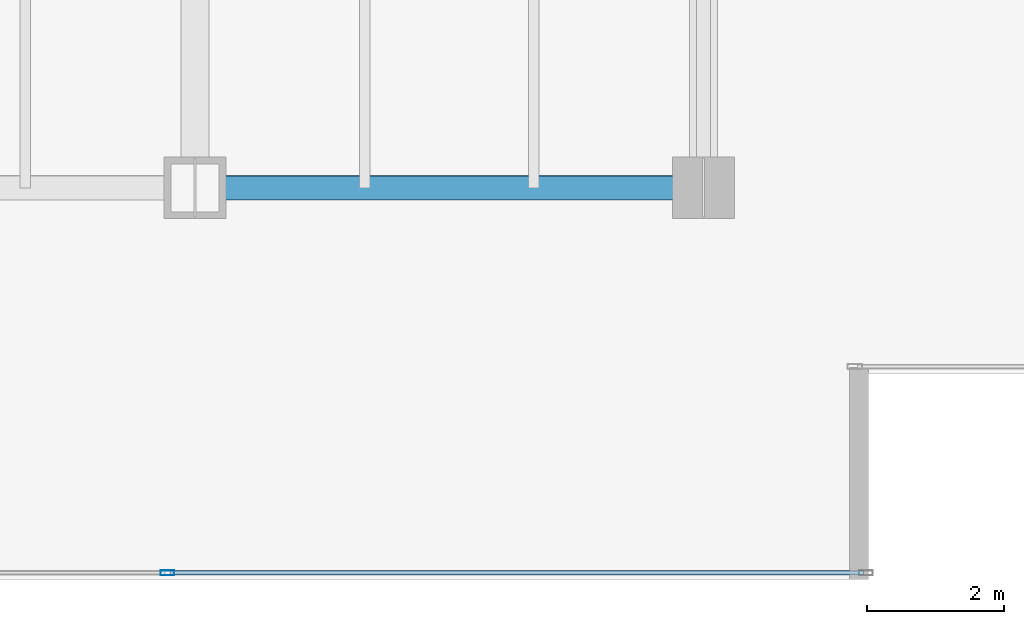
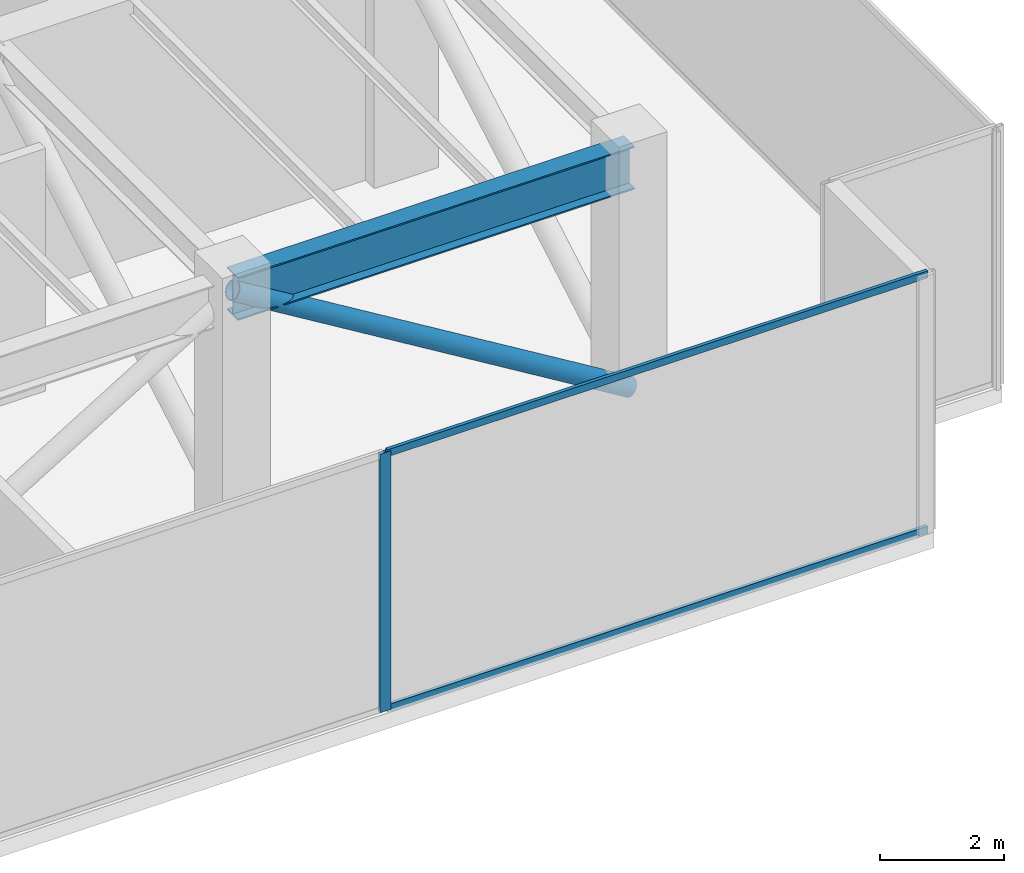
# One storey, part 12 of 34: 4 members, 1 beam, 1 element without a shape of its own.
"""IFC4 building model written with IfcOpenShell, lengths in metres."""

from ifc_helpers import new_model, si_unit, direction, frame, origin, origin_2d, place, context, subcontext, project, spatial, hollow_rectangle, hollow_circle, i_section, extrude, source, transform, mapped, material, layer, layer_set, material_profile, profile_set, type_object, type_shapes, element, aggregate, save


model = new_model("IFC4")

# Units and contexts
model_context = context("Model", 3, precision=1e-05, world=origin(), true_north=direction((0.0, 1.0)))
body_context = subcontext(model_context, "Body", "Model", "MODEL_VIEW")
ifc_project = project(units=[si_unit("LENGTHUNIT", "METRE"), si_unit("AREAUNIT", "SQUARE_METRE"), si_unit("VOLUMEUNIT", "CUBIC_METRE"), si_unit("PLANEANGLEUNIT", "RADIAN"), si_unit("MASSUNIT", "GRAM", prefix="KILO")], contexts=[model_context])

# Site, building, storey
site_placement = place(None, origin())
site = spatial("IfcSite", under=ifc_project, at=site_placement, CompositionType="ELEMENT")
building_placement = place(site_placement, origin())
building = spatial("IfcBuilding", under=site, at=building_placement, Name="Haelvirn Gate Laboratories", CompositionType="ELEMENT")
storey_placement = place(building_placement, frame((0.0, 0.0, 191.199951171875)))
storey = spatial("IfcBuildingStorey", under=building, at=storey_placement, Name="L46", CompositionType="ELEMENT", Elevation=191.199951171875)

# Beam
ifc_material_1 = material(Name="Steel SM420", Category="steel")
ifc_material_profile_1 = material_profile(ifc_material_1, i_section(OverallWidth=0.35009765625, OverallDepth=0.85009765625, WebThickness=0.01611328125, FlangeThickness=0.028076171875, at=origin_2d()), Name="H-850x350x16x28")
ifc_profile_set_1 = profile_set([ifc_material_profile_1], Name="Steel SM420")
beam_type = type_object("IfcBeamType", Name="BM-AG-850", PredefinedType="BEAM", material=ifc_profile_set_1)
shared_shape_1 = source(origin(), body_context, "Body", "SweptSolid", [
    extrude(i_section(OverallWidth=0.35009765625, OverallDepth=0.85009765625, WebThickness=0.01611328125, FlangeThickness=0.028076171875, at=origin_2d()), origin(), (0.0, 0.0, 1.0), 7.39990234375),
])
type_shapes(beam_type, [shared_shape_1])
beam_placement = place(storey_placement, frame((60.0, 7.0, 4.675048828125), z_axis=(1.0, 0.0, 0.0), x_axis=(0.0, 1.0, 0.0)))
element("IfcBeam", 1, at=beam_placement, inside=storey, type_object=beam_type, Name="L46 Primary Girder Y7.0 (60.0-67.4)", PredefinedType="BEAM", context=body_context, shape_type="MappedRepresentation", body=[
    mapped(shared_shape_1, transform((0.0, 0.0, 0.0), scale=1.0)),
])

# Member
ifc_material_2 = material(Name="Steel SM355", Category="steel")
ifc_material_profile_2 = material_profile(ifc_material_2, hollow_circle(Radius=0.177734375, WallThickness=0.013916015625, at=origin_2d()), Name="CHS-355x14")
ifc_profile_set_2 = profile_set([ifc_material_profile_2], Name="Steel SM355")
member_type_1 = type_object("IfcMemberType", Name="MEM-BELT-1", PredefinedType="STRUT", material=ifc_profile_set_2)
shared_shape_2 = source(origin(), body_context, "Body", "SweptSolid", [
    extrude(hollow_circle(Radius=0.177734375, WallThickness=0.013916015625, at=origin_2d()), origin(), (0.0, 0.0, 1.0), 8.66064453125),
])
type_shapes(member_type_1, [shared_shape_2])
member_1_placement = place(storey_placement, frame((60.0, 7.0, 4.75), z_axis=(0.854418394814, 0.0, -0.519585610466), x_axis=(0.0, 1.0, 0.0)))
element("IfcMember", 2, at=member_1_placement, inside=storey, type_object=member_type_1, Name="L46 Perimeter Belt Truss S8", PredefinedType="STRUT", context=body_context, shape_type="MappedRepresentation", body=[
    mapped(shared_shape_2, transform((0.0, 0.0, 0.0), scale=1.0)),
])

# Curtain wall, members
ifc_material_3 = material(Name="Anodised bronze unitised aluminium & triple low-E glass", Category="aluminium")
ifc_layer = layer(ifc_material_3, 0.179931640625, Name="CW-SYS-3")
ifc_layer_set = layer_set([ifc_layer], Name="Anodised bronze unitised aluminium & triple low-E glass")
curtain_wall_type = type_object("IfcCurtainWallType", Name="CW-SYS-3", PredefinedType="NOTDEFINED", material=ifc_layer_set)
curtain_wall_placement = place(storey_placement, origin())
curtain_wall = element("IfcCurtainWall", 3, at=curtain_wall_placement, inside=storey, type_object=curtain_wall_type, Name="L46 Unitised Curtain Wall CW-L46-P0-E04-1", PredefinedType="NOTDEFINED")
ifc_material_4 = material(Name="Extruded aluminium 6063-T6 (anodised bronze)", Category="aluminium")
ifc_material_profile_3 = material_profile(ifc_material_4, hollow_rectangle(XDim=0.06494140625, YDim=0.139892578125, WallThickness=0.00390625, at=origin_2d()), Name="CWT-140x65x4")
ifc_profile_set_3 = profile_set([ifc_material_profile_3], Name="Extruded aluminium 6063-T6 (anodised bronze)")
member_type_2 = type_object("IfcMemberType", Name="CWT-T140", PredefinedType="USERDEFINED", material=ifc_profile_set_3)
shared_shape_3 = source(origin(), body_context, "Body", "SweptSolid", [
    extrude(hollow_rectangle(XDim=0.06494140625, YDim=0.139892578125, WallThickness=0.00390625, at=origin_2d()), origin(), (0.0, 0.0, 1.0), 10.087646484375),
])
type_shapes(member_type_2, [shared_shape_3])
member_2_placement = place(storey_placement, frame((59.637451171875, 1.39990234375, 0.032470703125), z_axis=(1.0, 0.0, 0.0), x_axis=(0.0, 1.0, 0.0)))
member_2 = element("IfcMember", 4, at=member_2_placement, type_object=member_type_2, Name="CW3 transom 2.1", ObjectType="TRANSOM", PredefinedType="USERDEFINED", context=body_context, shape_type="MappedRepresentation", body=[
    mapped(shared_shape_3, transform((0.0, 0.0, 0.0), scale=1.0)),
])
member_3_placement = place(storey_placement, frame((59.637451171875, 1.39990234375, 5.067626953125), z_axis=(1.0, 0.0, 0.0), x_axis=(0.0, 1.0, 0.0)))
member_3 = element("IfcMember", 5, at=member_3_placement, type_object=member_type_2, Name="CW3 transom 2.2", ObjectType="TRANSOM", PredefinedType="USERDEFINED", context=body_context, shape_type="MappedRepresentation", body=[
    mapped(shared_shape_3, transform((0.0, 0.0, 0.0), scale=1.0)),
])
ifc_material_profile_4 = material_profile(ifc_material_4, hollow_rectangle(XDim=0.074951171875, YDim=0.199951171875, WallThickness=0.0048828125, at=origin_2d()), Name="CWM-200x75x5")
ifc_profile_set_4 = profile_set([ifc_material_profile_4], Name="Extruded aluminium 6063-T6 (anodised bronze)")
member_type_3 = type_object("IfcMemberType", Name="CWM-T200", PredefinedType="MULLION", material=ifc_profile_set_4)
shared_shape_4 = source(origin(), body_context, "Body", "SweptSolid", [
    extrude(hollow_rectangle(XDim=0.074951171875, YDim=0.199951171875, WallThickness=0.0048828125, at=origin_2d()), origin(), (0.0, 0.0, 1.0), 5.10009765625),
])
type_shapes(member_type_3, [shared_shape_4])
member_4_placement = place(storey_placement, frame((59.60009765625, 1.39990234375, 0.0), z_axis=(0.0, 0.0, 1.0), x_axis=(0.0, 1.0, 0.0)))
member_4 = element("IfcMember", 6, at=member_4_placement, type_object=member_type_3, Name="CW3 mullion 2", PredefinedType="MULLION", context=body_context, shape_type="MappedRepresentation", body=[
    mapped(shared_shape_4, transform((0.0, 0.0, 0.0), scale=1.0)),
])
aggregate(curtain_wall, [member_4, member_2, member_3])

save(model, "model.ifc")
